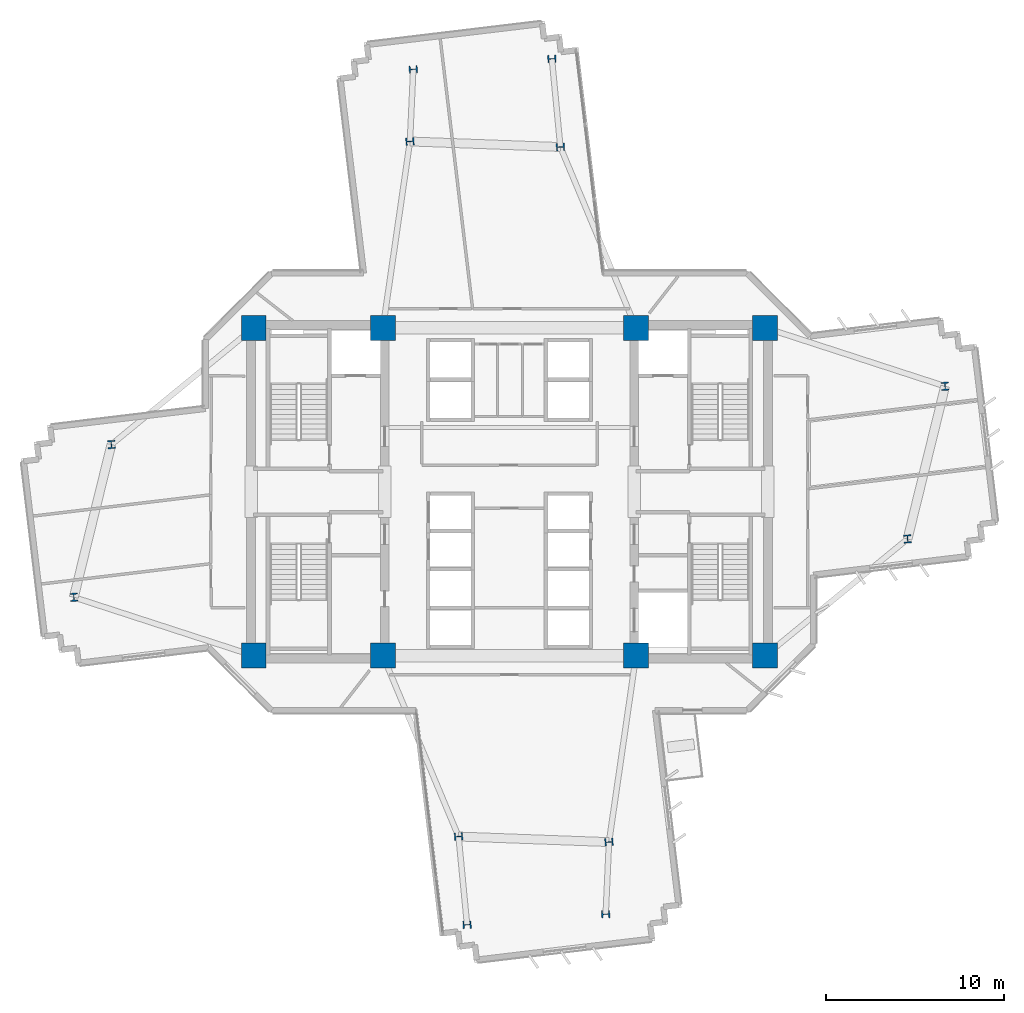
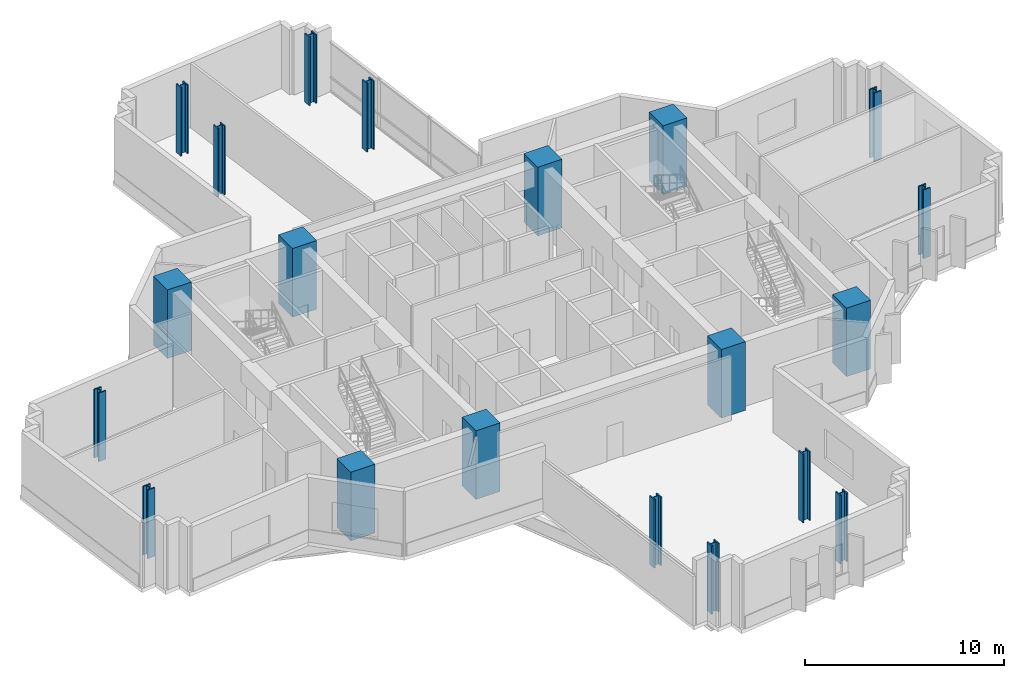
# One storey, part 1 of 15: 20 columns.
"""IFC4 building model written with IfcOpenShell, lengths in metres."""

from ifc_helpers import new_model, si_unit, direction, frame, origin, origin_2d, place, context, subcontext, project, spatial, rectangle, i_section, extrude, source, transform, mapped, material, material_profile, profile_set, type_object, element, save


model = new_model("IFC4")

# Units and contexts
model_context = context("Model", 3, precision=1e-05, world=origin(), true_north=direction((0.0, 1.0)))
body_context = subcontext(model_context, "Body", "Model", "MODEL_VIEW")
ifc_project = project(units=[si_unit("LENGTHUNIT", "METRE"), si_unit("AREAUNIT", "SQUARE_METRE"), si_unit("VOLUMEUNIT", "CUBIC_METRE"), si_unit("PLANEANGLEUNIT", "RADIAN"), si_unit("MASSUNIT", "GRAM", prefix="KILO")], contexts=[model_context])

# Site, building, storey
site_placement = place(None, origin())
site = spatial("IfcSite", under=ifc_project, at=site_placement, CompositionType="ELEMENT")
building_placement = place(site_placement, origin())
building = spatial("IfcBuilding", under=site, at=building_placement, Name="Zahravan Cultural Tower", CompositionType="ELEMENT")
storey_placement = place(building_placement, frame((0.0, 0.0, 104.699951171875)))
storey = spatial("IfcBuildingStorey", under=building, at=storey_placement, Name="L23", CompositionType="ELEMENT", Elevation=104.699951171875)

# Columns
ifc_material_1 = material(Name="Concrete C60/75", Category="concrete")
ifc_material_profile_1 = material_profile(ifc_material_1, rectangle(XDim=1.39990234375, YDim=1.39990234375, at=origin_2d()), Name="RC1400X1400")
ifc_profile_set_1 = profile_set([ifc_material_profile_1], Name="Concrete C60/75")
column_type_1 = type_object("IfcColumnType", Name="COL-RC1400", PredefinedType="COLUMN", material=ifc_profile_set_1)
shared_shape_1 = source(origin(), body_context, "Body", "SweptSolid", [
    extrude(rectangle(XDim=1.39990234375, YDim=1.39990234375, at=origin_2d()), origin(), (0.0, 0.0, 1.0), 4.199951171875),
])
for number, where, z_axis, x_axis, name in (
    (1, (21.64990234375, 17.800048828125, 0.0), (0.0, 0.0, 1.0), (1.0, 0.0, 0.0), "L23 Column CC-W1"),
    (2, (28.89990234375, 17.800048828125, 0.0), (0.0, 0.0, 1.0), (1.0, 0.0, 0.0), "L23 Column CC-W2"),
    (3, (21.64990234375, 36.199951171875, 0.0), (0.0, 0.0, 1.0), (1.0, 0.0, 0.0), "L23 Column CC-W3"),
    (4, (28.89990234375, 36.199951171875, 0.0), (0.0, 0.0, 1.0), (1.0, 0.0, 0.0), "L23 Column CC-W4"),
    (5, (43.10009765625, 17.800048828125, 0.0), (0.0, 0.0, 1.0), (1.0, 0.0, 0.0), "L23 Column CC-E1"),
    (6, (50.35009765625, 17.800048828125, 0.0), (0.0, 0.0, 1.0), (1.0, 0.0, 0.0), "L23 Column CC-E2"),
    (7, (43.10009765625, 36.199951171875, 0.0), (0.0, 0.0, 1.0), (1.0, 0.0, 0.0), "L23 Column CC-E3"),
    (8, (50.35009765625, 36.199951171875, 0.0), (0.0, 0.0, 1.0), (1.0, 0.0, 0.0), "L23 Column CC-E4"),
):
    element("IfcColumn", number, at=place(storey_placement, frame(where, z_axis=z_axis, x_axis=x_axis)), inside=storey, type_object=column_type_1, Name=name, PredefinedType="COLUMN", context=body_context, shape_type="MappedRepresentation", body=[
        mapped(shared_shape_1, transform((0.0, 0.0, 0.0), x_axis=(1.0, 0.0, 0.0), y_axis=(0.0, 1.0, 0.0), z_axis=(0.0, 0.0, 1.0), scale=1.0)),
    ])
ifc_material_2 = material(Name="Steel ASTM A992 Grade 50", Category="steel")
ifc_material_profile_2 = material_profile(ifc_material_2, i_section(OverallWidth=0.4208984375, OverallDepth=0.465087890625, WebThickness=0.044921875, FlangeThickness=0.072509765625, FilletRadius=0.01806640625, at=origin_2d()), Name="W14X398")
ifc_profile_set_2 = profile_set([ifc_material_profile_2], Name="Steel ASTM A992 Grade 50")
column_type_2 = type_object("IfcColumnType", Name="COL-W14X398", PredefinedType="COLUMN", material=ifc_profile_set_2)
shared_shape_2 = source(origin(), body_context, "Body", "SweptSolid", [
    extrude(i_section(OverallWidth=0.4208984375, OverallDepth=0.465087890625, WebThickness=0.044921875, FlangeThickness=0.072509765625, FilletRadius=0.01806640625, at=origin_2d()), origin(), (0.0, 0.0, 1.0), 4.199951171875),
])
for number, where, z_axis, x_axis, name in (
    (9, (58.339111328125, 24.351806640625, 0.0), (0.0, 0.0, 1.0), (0.99756405026, 0.069756473744, 0.0), "L23 Column Z1C-E1"),
    (10, (60.446533203125, 32.919677734375, 0.0), (0.0, 0.0, 1.0), (0.99756405026, 0.069756473744, 0.0), "L23 Column Z1C-E2"),
    (11, (38.857421875, 46.346435546875, 0.0), (0.0, 0.0, 1.0), (-0.069756473744, 0.99756405026, 0.0), "L23 Column Z1C-N1"),
    (12, (30.4150390625, 46.658203125, 0.0), (0.0, 0.0, 1.0), (-0.069756473744, 0.99756405026, 0.0), "L23 Column Z1C-N2"),
    (13, (13.660888671875, 29.648193359375, 0.0), (0.0, 0.0, 1.0), (0.99756405026, 0.069756473744, 0.0), "L23 Column Z1C-W1"),
    (14, (11.553466796875, 21.080322265625, 0.0), (0.0, 0.0, 1.0), (0.99756405026, 0.069756473744, 0.0), "L23 Column Z1C-W2"),
    (15, (33.142578125, 7.653564453125, 0.0), (0.0, 0.0, 1.0), (-0.069756473744, 0.99756405026, 0.0), "L23 Column Z1C-S1"),
    (16, (41.5849609375, 7.341796875, 0.0), (0.0, 0.0, 1.0), (-0.069756473744, 0.99756405026, 0.0), "L23 Column Z1C-S2"),
    (17, (38.379150390625, 51.29736328125, 0.0), (0.0, 0.0, 1.0), (-0.062790519529, 0.998026728428, 0.0), "L23 Column Z1T-N1"),
    (18, (30.6005859375, 50.707763671875, 0.0), (0.0, 0.0, 1.0), (-0.062790519529, 0.998026728428, 0.0), "L23 Column Z1T-N2"),
    (19, (33.620849609375, 2.70263671875, 0.0), (0.0, 0.0, 1.0), (-0.062790519529, 0.998026728428, 0.0), "L23 Column Z1T-S1"),
    (20, (41.3994140625, 3.292236328125, 0.0), (0.0, 0.0, 1.0), (-0.062790519529, 0.998026728428, 0.0), "L23 Column Z1T-S2"),
):
    element("IfcColumn", number, at=place(storey_placement, frame(where, z_axis=z_axis, x_axis=x_axis)), inside=storey, type_object=column_type_2, Name=name, PredefinedType="COLUMN", context=body_context, shape_type="MappedRepresentation", body=[
        mapped(shared_shape_2, transform((0.0, 0.0, 0.0), x_axis=(1.0, 0.0, 0.0), y_axis=(0.0, 1.0, 0.0), z_axis=(0.0, 0.0, 1.0), scale=1.0)),
    ])

save(model, "model.ifc")
